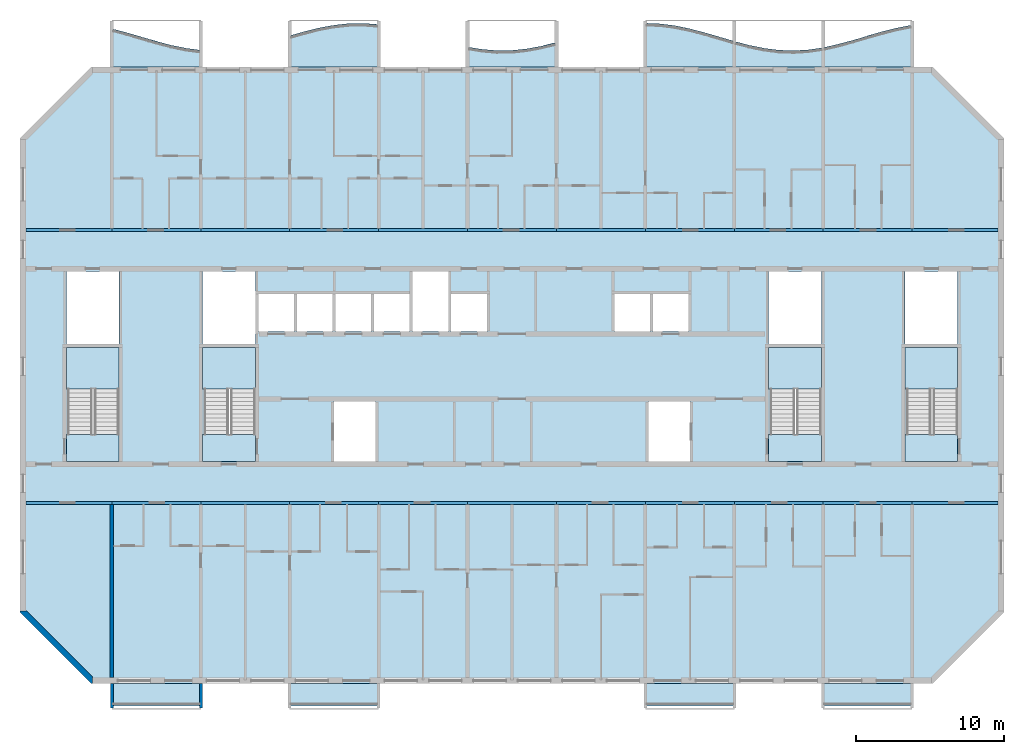
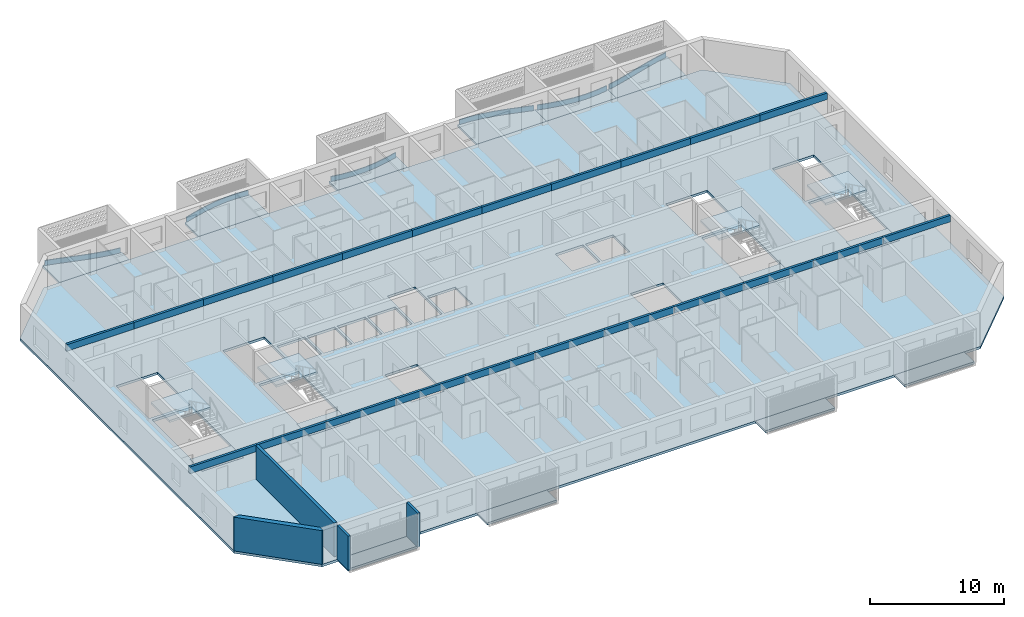
# One storey, part 1 of 26: 22 beams, 19 slabs, 6 plates, 4 walls, 4 elements without a shape of their own.
"""IFC4 building model written with IfcOpenShell, lengths in metres."""

from ifc_helpers import new_model, si_unit, direction, frame, frame_2d, origin, origin_2d, place, context, subcontext, project, spatial, polyline, rectangle, outline, extrude, source, transform, mapped, material, layer, layer_set, material_profile, profile_set, type_object, element, aggregate, save


model = new_model("IFC4")

# Units and contexts
model_context = context("Model", 3, precision=1e-05, world=origin(), true_north=direction((0.0, 1.0)))
body_context = subcontext(model_context, "Body", "Model", "MODEL_VIEW")
ifc_project = project(units=[si_unit("LENGTHUNIT", "METRE"), si_unit("AREAUNIT", "SQUARE_METRE"), si_unit("VOLUMEUNIT", "CUBIC_METRE"), si_unit("PLANEANGLEUNIT", "RADIAN"), si_unit("MASSUNIT", "GRAM", prefix="KILO")], contexts=[model_context])

# Site, building, storey
site_placement = place(None, origin())
site = spatial("IfcSite", under=ifc_project, at=site_placement, CompositionType="ELEMENT")
building_placement = place(site_placement, origin())
building = spatial("IfcBuilding", under=site, at=building_placement, Name="Poui Terraces", CompositionType="ELEMENT")
storey_placement = place(building_placement, frame((0.0, 0.0, 241.199951171875)))
storey = spatial("IfcBuildingStorey", under=building, at=storey_placement, Name="L67", CompositionType="ELEMENT", Elevation=241.199951171875)

# Beams
ifc_material_1 = material(Name="Concrete 50 MPa", Category="concrete")
ifc_material_profile = material_profile(ifc_material_1, rectangle(XDim=0.199951171875, YDim=0.60009765625, at=origin_2d()), Name="RC 200x600")
ifc_profile_set = profile_set([ifc_material_profile], Name="Concrete 50 MPa")
beam_type = type_object("IfcBeamType", Name="COUPLING BEAM 200x600 50MPa", PredefinedType="BEAM", material=ifc_profile_set)
shared_shape_1 = source(origin(), body_context, "Body", "SweptSolid", [
    extrude(rectangle(XDim=0.199951171875, YDim=0.60009765625, at=origin_2d()), origin(), (0.0, 0.0, 1.0), 5.800048828125),
])
for number, where, z_axis, x_axis, name in (
    (1, (18.199951171875, 12.0, 2.780029296875), (1.0, 0.0, 0.0), (0.0, 1.0, 0.0), "COUPLING BEAM LINE B BAY 1"),
    (2, (78.0, 12.0, 2.780029296875), (1.0, 0.0, 0.0), (0.0, 1.0, 0.0), "COUPLING BEAM LINE B BAY 11"),
    (3, (18.199951171875, 30.39990234375, 2.780029296875), (1.0, 0.0, 0.0), (0.0, 1.0, 0.0), "COUPLING BEAM LINE E BAY 1"),
    (4, (78.0, 30.39990234375, 2.780029296875), (1.0, 0.0, 0.0), (0.0, 1.0, 0.0), "COUPLING BEAM LINE E BAY 11"),
):
    element("IfcBeam", number, at=place(storey_placement, frame(where, z_axis=z_axis, x_axis=x_axis)), inside=storey, type_object=beam_type, Name=name, PredefinedType="BEAM", context=body_context, shape_type="MappedRepresentation", body=[
        mapped(shared_shape_1, transform((0.0, 0.0, 0.0))),
    ])
shared_shape_2 = source(origin(), body_context, "Body", "SweptSolid", [
    extrude(rectangle(XDim=0.199951171875, YDim=0.60009765625, at=origin_2d()), origin(), (0.0, 0.0, 1.0), 6.0),
])
for number, where, z_axis, x_axis, name in (
    (5, (24.0, 12.0, 2.780029296875), (1.0, 0.0, 0.0), (0.0, 1.0, 0.0), "COUPLING BEAM LINE B BAY 2"),
    (6, (30.0, 12.0, 2.780029296875), (1.0, 0.0, 0.0), (0.0, 1.0, 0.0), "COUPLING BEAM LINE B BAY 3"),
    (7, (36.0, 12.0, 2.780029296875), (1.0, 0.0, 0.0), (0.0, 1.0, 0.0), "COUPLING BEAM LINE B BAY 4"),
    (8, (42.0, 12.0, 2.780029296875), (1.0, 0.0, 0.0), (0.0, 1.0, 0.0), "COUPLING BEAM LINE B BAY 5"),
    (9, (48.0, 12.0, 2.780029296875), (1.0, 0.0, 0.0), (0.0, 1.0, 0.0), "COUPLING BEAM LINE B BAY 6"),
    (10, (54.0, 12.0, 2.780029296875), (1.0, 0.0, 0.0), (0.0, 1.0, 0.0), "COUPLING BEAM LINE B BAY 7"),
    (11, (60.0, 12.0, 2.780029296875), (1.0, 0.0, 0.0), (0.0, 1.0, 0.0), "COUPLING BEAM LINE B BAY 8"),
    (12, (66.0, 12.0, 2.780029296875), (1.0, 0.0, 0.0), (0.0, 1.0, 0.0), "COUPLING BEAM LINE B BAY 9"),
    (13, (72.0, 12.0, 2.780029296875), (1.0, 0.0, 0.0), (0.0, 1.0, 0.0), "COUPLING BEAM LINE B BAY 10"),
    (14, (24.0, 30.39990234375, 2.780029296875), (1.0, 0.0, 0.0), (0.0, 1.0, 0.0), "COUPLING BEAM LINE E BAY 2"),
    (15, (30.0, 30.39990234375, 2.780029296875), (1.0, 0.0, 0.0), (0.0, 1.0, 0.0), "COUPLING BEAM LINE E BAY 3"),
    (16, (36.0, 30.39990234375, 2.780029296875), (1.0, 0.0, 0.0), (0.0, 1.0, 0.0), "COUPLING BEAM LINE E BAY 4"),
    (17, (42.0, 30.39990234375, 2.780029296875), (1.0, 0.0, 0.0), (0.0, 1.0, 0.0), "COUPLING BEAM LINE E BAY 5"),
    (18, (48.0, 30.39990234375, 2.780029296875), (1.0, 0.0, 0.0), (0.0, 1.0, 0.0), "COUPLING BEAM LINE E BAY 6"),
    (19, (54.0, 30.39990234375, 2.780029296875), (1.0, 0.0, 0.0), (0.0, 1.0, 0.0), "COUPLING BEAM LINE E BAY 7"),
    (20, (60.0, 30.39990234375, 2.780029296875), (1.0, 0.0, 0.0), (0.0, 1.0, 0.0), "COUPLING BEAM LINE E BAY 8"),
    (21, (66.0, 30.39990234375, 2.780029296875), (1.0, 0.0, 0.0), (0.0, 1.0, 0.0), "COUPLING BEAM LINE E BAY 9"),
    (22, (72.0, 30.39990234375, 2.780029296875), (1.0, 0.0, 0.0), (0.0, 1.0, 0.0), "COUPLING BEAM LINE E BAY 10"),
):
    element("IfcBeam", number, at=place(storey_placement, frame(where, z_axis=z_axis, x_axis=x_axis)), inside=storey, type_object=beam_type, Name=name, PredefinedType="BEAM", context=body_context, shape_type="MappedRepresentation", body=[
        mapped(shared_shape_2, transform((0.0, 0.0, 0.0))),
    ])

# Slabs
ifc_material_2 = material(Name="Precast concrete 40 MPa", Category="concrete")
ifc_layer_1 = layer(ifc_material_2, 0.199951171875)
ifc_layer_set_1 = layer_set([ifc_layer_1], Name="Precast concrete 40 MPa")
slab_type_1 = type_object("IfcSlabType", Name="BALCONY SLAB 200", PredefinedType="FLOOR", material=ifc_layer_set_1)
slab_1_placement = place(storey_placement, frame((0.0, 0.0, -0.199951171875)))
element("IfcSlab", 23, at=slab_1_placement, inside=storey, type_object=slab_type_1, Name="BALCONY SLAB", PredefinedType="FLOOR", context=body_context, shape_type="SweptSolid", body=[
    extrude(outline(polyline([(24.0, 41.39990234375), (30.0, 41.39990234375), (30.0, 42.53662109375), (29.0, 42.663818359375), (28.0, 42.869384765625), (27.0, 43.132080078125), (26.0, 43.425048828125), (25.0, 43.718017578125), (24.0, 43.980712890625), (24.0, 41.39990234375)])), origin(), (0.0, 0.0, 1.0), 0.199951171875),
])
slab_2_placement = place(storey_placement, frame((0.0, 0.0, -0.199951171875)))
element("IfcSlab", 24, at=slab_2_placement, inside=storey, type_object=slab_type_1, Name="BALCONY SLAB", PredefinedType="FLOOR", context=body_context, shape_type="SweptSolid", body=[
    extrude(outline(polyline([(36.0, 41.39990234375), (42.0, 41.39990234375), (42.0, 44.2607421875), (41.0, 44.34326171875), (40.0, 44.331298828125), (39.0, 44.22607421875), (38.0, 44.038330078125), (37.0, 43.78759765625), (36.0, 43.49951171875), (36.0, 41.39990234375)])), origin(), (0.0, 0.0, 1.0), 0.199951171875),
])
slab_3_placement = place(storey_placement, frame((0.0, 0.0, -0.199951171875)))
element("IfcSlab", 25, at=slab_3_placement, inside=storey, type_object=slab_type_1, Name="BALCONY SLAB", PredefinedType="FLOOR", context=body_context, shape_type="SweptSolid", body=[
    extrude(outline(polyline([(48.0, 41.39990234375), (54.0, 41.39990234375), (54.0, 43.0625), (53.0, 42.8115234375), (52.0, 42.623779296875), (51.0, 42.518798828125), (50.0, 42.506591796875), (49.0, 42.58935546875), (48.0, 42.7578125), (48.0, 41.39990234375)])), origin(), (0.0, 0.0, 1.0), 0.199951171875),
])
slab_4_placement = place(storey_placement, frame((0.0, 0.0, -0.199951171875)))
element("IfcSlab", 26, at=slab_4_placement, inside=storey, type_object=slab_type_1, Name="BALCONY SLAB", PredefinedType="FLOOR", context=body_context, shape_type="SweptSolid", body=[
    extrude(outline(polyline([(60.0, 41.39990234375), (66.0, 41.39990234375), (66.0, 43.132080078125), (65.0, 43.425048828125), (64.0, 43.718017578125), (63.0, 43.980712890625), (62.0, 44.186279296875), (61.0, 44.3134765625), (60.0, 44.34912109375), (60.0, 41.39990234375)])), origin(), (0.0, 0.0, 1.0), 0.199951171875),
])
slab_5_placement = place(storey_placement, frame((0.0, 0.0, -0.199951171875)))
element("IfcSlab", 27, at=slab_5_placement, inside=storey, type_object=slab_type_1, Name="BALCONY SLAB", PredefinedType="FLOOR", context=body_context, shape_type="SweptSolid", body=[
    extrude(outline(polyline([(66.0, 41.39990234375), (72.0, 41.39990234375), (72.0, 42.70849609375), (71.0, 42.56005859375), (70.0, 42.500732421875), (69.0, 42.53662109375), (68.0, 42.663818359375), (67.0, 42.869384765625), (66.0, 43.132080078125), (66.0, 41.39990234375)])), origin(), (0.0, 0.0, 1.0), 0.199951171875),
])
slab_6_placement = place(storey_placement, frame((0.0, 0.0, -0.199951171875)))
element("IfcSlab", 28, at=slab_6_placement, inside=storey, type_object=slab_type_1, Name="BALCONY SLAB", PredefinedType="FLOOR", context=body_context, shape_type="SweptSolid", body=[
    extrude(outline(polyline([(72.0, 41.39990234375), (78.0, 41.39990234375), (78.0, 44.22607421875), (77.0, 44.038330078125), (76.0, 43.78759765625), (75.0, 43.49951171875), (74.0, 43.20361328125), (73.0, 42.9306640625), (72.0, 42.70849609375), (72.0, 41.39990234375)])), origin(), (0.0, 0.0, 1.0), 0.199951171875),
])

# Stair, slabs
stair_type = type_object("IfcStairType", Name="EXIT STAIR 1650 50 MPA", PredefinedType="HALF_TURN_STAIR", material=ifc_material_1)
stair_1_placement = place(storey_placement, origin())
stair_1 = element("IfcStair", 29, at=stair_1_placement, inside=storey, type_object=stair_type, Name="L67 CORE STAIR EAST", PredefinedType="HALF_TURN_STAIR")
ifc_layer_2 = layer(ifc_material_1, 0.199951171875)
ifc_layer_set_2 = layer_set([ifc_layer_2], Name="Concrete 50 MPa")
slab_type_2 = type_object("IfcSlabType", Name="STAIR LANDING 200 50 MPA", PredefinedType="LANDING", material=ifc_layer_set_2)
slab_7_placement = place(storey_placement, frame((0.0, 0.0, 1.449951171875)))
slab_7 = element("IfcSlab", 30, at=slab_7_placement, type_object=slab_type_2, Name="ST-CE landing 1", PredefinedType="LANDING", context=body_context, shape_type="SweptSolid", body=[
    extrude(outline(polyline([(68.324951171875, 19.679931640625), (71.875, 19.679931640625), (71.875, 22.47509765625), (68.324951171875, 22.47509765625), (68.324951171875, 19.679931640625)])), origin(), (0.0, 0.0, 1.0), 0.2001953125),
])
slab_8_placement = place(storey_placement, frame((0.0, 0.0, -0.199951171875)))
slab_8 = element("IfcSlab", 31, at=slab_8_placement, type_object=slab_type_2, Name="ST-CE landing 2", PredefinedType="LANDING", context=body_context, shape_type="SweptSolid", body=[
    extrude(outline(polyline([(68.324951171875, 14.77490234375), (71.875, 14.77490234375), (71.875, 16.60009765625), (68.324951171875, 16.60009765625), (68.324951171875, 14.77490234375)])), origin(), (0.0, 0.0, 1.0), 0.199951171875),
])
aggregate(stair_1, [slab_7, slab_8])

stair_2_placement = place(storey_placement, origin())
stair_2 = element("IfcStair", 32, at=stair_2_placement, inside=storey, type_object=stair_type, Name="L67 CORE STAIR WEST", PredefinedType="HALF_TURN_STAIR")
slab_9_placement = place(storey_placement, frame((0.0, 0.0, 1.449951171875)))
slab_9 = element("IfcSlab", 33, at=slab_9_placement, type_object=slab_type_2, Name="ST-CW landing 1", PredefinedType="LANDING", context=body_context, shape_type="SweptSolid", body=[
    extrude(outline(polyline([(30.125, 19.679931640625), (33.675048828125, 19.679931640625), (33.675048828125, 22.47509765625), (30.125, 22.47509765625), (30.125, 19.679931640625)])), origin(), (0.0, 0.0, 1.0), 0.2001953125),
])
slab_10_placement = place(storey_placement, frame((0.0, 0.0, -0.199951171875)))
slab_10 = element("IfcSlab", 34, at=slab_10_placement, type_object=slab_type_2, Name="ST-CW landing 2", PredefinedType="LANDING", context=body_context, shape_type="SweptSolid", body=[
    extrude(outline(polyline([(30.125, 14.77490234375), (33.675048828125, 14.77490234375), (33.675048828125, 16.60009765625), (30.125, 16.60009765625), (30.125, 14.77490234375)])), origin(), (0.0, 0.0, 1.0), 0.199951171875),
])
aggregate(stair_2, [slab_9, slab_10])

stair_3_placement = place(storey_placement, origin())
stair_3 = element("IfcStair", 35, at=stair_3_placement, inside=storey, type_object=stair_type, Name="L67 TIP STAIR EAST", PredefinedType="HALF_TURN_STAIR")
slab_11_placement = place(storey_placement, frame((0.0, 0.0, 1.449951171875)))
slab_11 = element("IfcSlab", 36, at=slab_11_placement, type_object=slab_type_2, Name="ST-E landing 1", PredefinedType="LANDING", context=body_context, shape_type="SweptSolid", body=[
    extrude(outline(polyline([(77.52490234375, 19.679931640625), (81.074951171875, 19.679931640625), (81.074951171875, 22.47509765625), (77.52490234375, 22.47509765625), (77.52490234375, 19.679931640625)])), origin(), (0.0, 0.0, 1.0), 0.2001953125),
])
slab_12_placement = place(storey_placement, frame((0.0, 0.0, -0.199951171875)))
slab_12 = element("IfcSlab", 37, at=slab_12_placement, type_object=slab_type_2, Name="ST-E landing 2", PredefinedType="LANDING", context=body_context, shape_type="SweptSolid", body=[
    extrude(outline(polyline([(77.52490234375, 14.77490234375), (81.074951171875, 14.77490234375), (81.074951171875, 16.60009765625), (77.52490234375, 16.60009765625), (77.52490234375, 14.77490234375)])), origin(), (0.0, 0.0, 1.0), 0.199951171875),
])
aggregate(stair_3, [slab_11, slab_12])

stair_4_placement = place(storey_placement, origin())
stair_4 = element("IfcStair", 38, at=stair_4_placement, inside=storey, type_object=stair_type, Name="L67 TIP STAIR WEST", PredefinedType="HALF_TURN_STAIR")
slab_13_placement = place(storey_placement, frame((0.0, 0.0, 1.449951171875)))
slab_13 = element("IfcSlab", 39, at=slab_13_placement, type_object=slab_type_2, Name="ST-W landing 1", PredefinedType="LANDING", context=body_context, shape_type="SweptSolid", body=[
    extrude(outline(polyline([(20.925048828125, 19.679931640625), (24.47509765625, 19.679931640625), (24.47509765625, 22.47509765625), (20.925048828125, 22.47509765625), (20.925048828125, 19.679931640625)])), origin(), (0.0, 0.0, 1.0), 0.2001953125),
])
slab_14_placement = place(storey_placement, frame((0.0, 0.0, -0.199951171875)))
slab_14 = element("IfcSlab", 40, at=slab_14_placement, type_object=slab_type_2, Name="ST-W landing 2", PredefinedType="LANDING", context=body_context, shape_type="SweptSolid", body=[
    extrude(outline(polyline([(20.925048828125, 14.77490234375), (24.47509765625, 14.77490234375), (24.47509765625, 16.60009765625), (20.925048828125, 16.60009765625), (20.925048828125, 14.77490234375)])), origin(), (0.0, 0.0, 1.0), 0.199951171875),
])
aggregate(stair_4, [slab_13, slab_14])

# Plates
ifc_layer_3 = layer(ifc_material_2, 0.080078125)
ifc_layer_set_3 = layer_set([ifc_layer_3], Name="Precast concrete 40 MPa")
plate_type = type_object("IfcPlateType", Name="SUNSHADE UPSTAND 80", PredefinedType="SHEET", material=ifc_layer_set_3)
plate_1_placement = place(storey_placement, origin())
element("IfcPlate", 41, at=plate_1_placement, inside=storey, type_object=plate_type, Name="SUNSHADE UPSTAND", PredefinedType="SHEET", context=body_context, shape_type="SweptSolid", body=[
    extrude(outline(polyline([(25.0107421875, 43.71142578125), (24.13525390625, 43.944091796875), (24.11474609375, 43.86669921875), (24.9892578125, 43.634521484375), (25.98876953125, 43.341552734375), (26.9892578125, 43.048583984375), (27.990966796875, 42.785400390625), (28.993408203125, 42.579345703125), (29.86962890625, 42.462890625), (29.88037109375, 42.542236328125), (29.006591796875, 42.658203125), (28.009033203125, 42.86328125), (27.0107421875, 43.12548828125), (26.01123046875, 43.41845703125), (25.0107421875, 43.71142578125)])), origin(), (0.0, 0.0, 1.0), 0.449951171875),
])
plate_2_placement = place(storey_placement, origin())
element("IfcPlate", 42, at=plate_2_placement, inside=storey, type_object=plate_type, Name="SUNSHADE UPSTAND", PredefinedType="SHEET", context=body_context, shape_type="SweptSolid", body=[
    extrude(outline(polyline([(36.989501953125, 43.78125), (36.114013671875, 43.52978515625), (36.135986328125, 43.452880859375), (37.010498046875, 43.703857421875), (38.008544921875, 43.954345703125), (39.005859375, 44.1416015625), (40.002197265625, 44.246337890625), (40.998779296875, 44.25830078125), (41.871826171875, 44.191162109375), (41.878173828125, 44.270751953125), (41.859619140625, 44.272216796875), (41.001220703125, 44.33837890625), (39.997802734375, 44.326416015625), (38.994140625, 44.220703125), (37.991455078125, 44.032470703125), (36.989501953125, 43.78125)])), origin(), (0.0, 0.0, 1.0), 0.449951171875),
])
plate_3_placement = place(storey_placement, origin())
element("IfcPlate", 43, at=plate_3_placement, inside=storey, type_object=plate_type, Name="SUNSHADE UPSTAND", PredefinedType="SHEET", context=body_context, shape_type="SweptSolid", body=[
    extrude(outline(polyline([(49.0048828125, 42.583984375), (48.131591796875, 42.72705078125), (48.118408203125, 42.648193359375), (48.9951171875, 42.504638671875), (49.99853515625, 42.421630859375), (51.002197265625, 42.43359375), (52.005859375, 42.539306640625), (53.008544921875, 42.7275390625), (53.884521484375, 42.944580078125), (53.865478515625, 43.022216796875), (52.991455078125, 42.8056640625), (51.994140625, 42.618408203125), (50.997802734375, 42.513671875), (50.00146484375, 42.501708984375), (49.0048828125, 42.583984375)])), origin(), (0.0, 0.0, 1.0), 0.449951171875),
])
plate_4_placement = place(storey_placement, origin())
element("IfcPlate", 44, at=plate_4_placement, inside=storey, type_object=plate_type, Name="SUNSHADE UPSTAND", PredefinedType="SHEET", context=body_context, shape_type="SweptSolid", body=[
    extrude(outline(polyline([(61.00341796875, 44.308349609375), (60.16796875, 44.34326171875), (60.126708984375, 44.3447265625), (60.123291015625, 44.264892578125), (60.99658203125, 44.228515625), (61.993408203125, 44.101806640625), (62.990966796875, 43.896728515625), (63.9892578125, 43.634521484375), (64.98876953125, 43.341552734375), (65.86376953125, 43.084228515625), (65.88623046875, 43.160888671875), (65.01123046875, 43.41845703125), (64.0107421875, 43.71142578125), (63.009033203125, 43.974609375), (62.006591796875, 44.1806640625), (61.00341796875, 44.308349609375)])), origin(), (0.0, 0.0, 1.0), 0.449951171875),
])
plate_5_placement = place(storey_placement, origin())
element("IfcPlate", 45, at=plate_5_placement, inside=storey, type_object=plate_type, Name="SUNSHADE UPSTAND", PredefinedType="SHEET", context=body_context, shape_type="SweptSolid", body=[
    extrude(outline(polyline([(67.009033203125, 42.86328125), (66.135009765625, 43.0908203125), (66.114990234375, 43.01318359375), (66.990966796875, 42.785400390625), (67.993408203125, 42.579345703125), (68.996826171875, 42.45166015625), (70.00048828125, 42.415771484375), (71.00390625, 42.475341796875), (71.880615234375, 42.600830078125), (71.869384765625, 42.68017578125), (70.99609375, 42.554931640625), (69.99951171875, 42.495849609375), (69.003173828125, 42.531494140625), (68.006591796875, 42.658203125), (67.009033203125, 42.86328125)])), origin(), (0.0, 0.0, 1.0), 0.449951171875),
])
plate_6_placement = place(storey_placement, origin())
element("IfcPlate", 46, at=plate_6_placement, inside=storey, type_object=plate_type, Name="SUNSHADE UPSTAND", PredefinedType="SHEET", context=body_context, shape_type="SweptSolid", body=[
    extrude(outline(polyline([(72.990234375, 42.92431640625), (72.1162109375, 42.7265625), (72.1337890625, 42.648681640625), (73.009765625, 42.8466796875), (74.010986328125, 43.1201171875), (75.01123046875, 43.416015625), (76.010498046875, 43.703857421875), (77.0087890625, 43.954345703125), (77.882568359375, 44.12255859375), (77.867431640625, 44.201171875), (76.9912109375, 44.032470703125), (75.989501953125, 43.78125), (74.98876953125, 43.492919921875), (73.989013671875, 43.197021484375), (72.990234375, 42.92431640625)])), origin(), (0.0, 0.0, 1.0), 0.449951171875),
])

# Slabs
ifc_material_3 = material(Name="Concrete 40 MPa", Category="concrete")
ifc_layer_4 = layer(ifc_material_3, 0.219970703125)
ifc_layer_set_4 = layer_set([ifc_layer_4], Name="Concrete 40 MPa")
slab_type_3 = type_object("IfcSlabType", Name="FLOOR SLAB 220", PredefinedType="FLOOR", material=ifc_layer_set_4)
shared_shape_3 = source(origin(), body_context, "Body", "SweptSolid", [
    extrude(outline(polyline([(0.0, 0.0), (4.800048828125, -4.800048828125), (61.599853515625, -4.800048828125), (66.39990234375, 0.0), (66.39990234375, 32.0), (61.599853515625, 36.7998046875), (4.800048828125, 36.7998046875), (0.0, 32.0), (0.0, 0.0)]), holes=[polyline([(21.199951171875, 10.1748046875), (21.199951171875, 14.224853515625), (24.0, 14.224853515625), (24.0, 10.1748046875), (21.199951171875, 10.1748046875)]), polyline([(3.224853515625, 17.849853515625), (6.675048828125, 17.849853515625), (6.675048828125, 12.0), (6.675048828125, 10.1748046875), (3.125, 10.1748046875), (3.125, 12.0), (3.224853515625, 12.0), (3.224853515625, 17.849853515625)]), polyline([(12.425048828125, 17.849853515625), (15.875, 17.849853515625), (15.875, 12.0), (15.875, 10.1748046875), (12.324951171875, 10.1748046875), (12.324951171875, 12.0), (12.425048828125, 12.0), (12.425048828125, 17.849853515625)]), polyline([(16.099853515625, 18.974853515625), (16.099853515625, 21.5), (18.5, 21.5), (18.5, 18.974853515625), (16.099853515625, 18.974853515625)]), polyline([(18.699951171875, 18.974853515625), (18.699951171875, 21.5), (21.099853515625, 21.5), (21.099853515625, 18.974853515625), (18.699951171875, 18.974853515625)]), polyline([(21.300048828125, 18.974853515625), (21.300048828125, 21.5), (23.699951171875, 21.5), (23.699951171875, 18.974853515625), (21.300048828125, 18.974853515625)]), polyline([(23.89990234375, 18.974853515625), (23.89990234375, 21.5), (26.300048828125, 21.5), (26.300048828125, 18.974853515625), (23.89990234375, 18.974853515625)]), polyline([(3.125, 23.02490234375), (6.675048828125, 23.02490234375), (6.675048828125, 18.125), (3.125, 18.125), (3.125, 23.02490234375)]), polyline([(12.324951171875, 23.02490234375), (15.875, 23.02490234375), (15.875, 18.125), (12.324951171875, 18.125), (12.324951171875, 23.02490234375)]), polyline([(42.39990234375, 10.1748046875), (42.39990234375, 14.224853515625), (45.199951171875, 14.224853515625), (45.199951171875, 10.1748046875), (42.39990234375, 10.1748046875)]), polyline([(50.625, 17.849853515625), (54.074951171875, 17.849853515625), (54.074951171875, 12.0), (54.074951171875, 10.1748046875), (50.52490234375, 10.1748046875), (50.52490234375, 12.0), (50.625, 12.0), (50.625, 17.849853515625)]), polyline([(59.824951171875, 17.849853515625), (63.27490234375, 17.849853515625), (63.27490234375, 12.0), (63.27490234375, 10.1748046875), (59.724853515625, 10.1748046875), (59.724853515625, 12.0), (59.824951171875, 12.0), (59.824951171875, 17.849853515625)]), polyline([(29.099853515625, 18.974853515625), (29.099853515625, 21.5), (31.5, 21.5), (31.5, 18.974853515625), (29.099853515625, 18.974853515625)]), polyline([(40.099853515625, 18.974853515625), (40.099853515625, 21.5), (42.5, 21.5), (42.5, 18.974853515625), (40.099853515625, 18.974853515625)]), polyline([(42.699951171875, 18.974853515625), (42.699951171875, 21.5), (45.099853515625, 21.5), (45.099853515625, 18.974853515625), (42.699951171875, 18.974853515625)]), polyline([(50.52490234375, 18.125), (50.52490234375, 23.02490234375), (54.074951171875, 23.02490234375), (54.074951171875, 18.125), (50.52490234375, 18.125)]), polyline([(59.724853515625, 23.02490234375), (63.27490234375, 23.02490234375), (63.27490234375, 18.125), (59.724853515625, 18.125), (59.724853515625, 23.02490234375)]), polyline([(26.5, 23.02490234375), (28.89990234375, 23.02490234375), (28.89990234375, 18.974853515625), (26.5, 18.974853515625), (26.5, 23.02490234375)])]), origin(), (0.0, 0.0, 1.0), 0.219970703125),
])
slab_15_placement = place(storey_placement, frame((17.800048828125, 4.60009765625, -0.219970703125)))
element("IfcSlab", 47, at=slab_15_placement, inside=storey, type_object=slab_type_3, Name="FLOOR SLAB", PredefinedType="FLOOR", context=body_context, shape_type="MappedRepresentation", body=[
    mapped(shared_shape_3, transform((0.0, 0.0, 0.0))),
])
ifc_layer_5 = layer(ifc_material_2, 0.199951171875)
ifc_layer_set_5 = layer_set([ifc_layer_5], Name="Precast concrete 40 MPa")
slab_type_4 = type_object("IfcSlabType", Name="REAR BALCONY SLAB 200", PredefinedType="FLOOR", material=ifc_layer_set_5)
shared_shape_4 = source(origin(), body_context, "Body", "SweptSolid", [
    extrude(outline(polyline([(0.0, 0.0), (6.0, 0.0), (6.0, 1.5), (0.0, 1.5), (0.0, 0.0)])), origin(), (0.0, 0.0, 1.0), 0.199951171875),
])
for number, where, name in (
    (48, (24.0, -1.699951171875, -0.199951171875), "REAR BALCONY SLAB"),
    (49, (36.0, -1.699951171875, -0.199951171875), "REAR BALCONY SLAB"),
    (50, (60.0, -1.699951171875, -0.199951171875), "REAR BALCONY SLAB"),
    (51, (72.0, -1.699951171875, -0.199951171875), "REAR BALCONY SLAB"),
):
    element("IfcSlab", number, at=place(storey_placement, frame(where)), inside=storey, type_object=slab_type_4, Name=name, PredefinedType="FLOOR", context=body_context, shape_type="MappedRepresentation", body=[
        mapped(shared_shape_4, transform((0.0, 0.0, 0.0))),
    ])

# Walls
ifc_layer_6 = layer(ifc_material_1, 0.25)
ifc_layer_set_6 = layer_set([ifc_layer_6], Name="Concrete 50 MPa")
wall_type_1 = type_object("IfcWallType", Name="CROSS WALL 250 50MPa", PredefinedType="SHEAR", material=ifc_layer_set_6)
wall_1_placement = place(storey_placement, frame((24.0, 0.199951171875, 0.0), z_axis=(0.0, 0.0, 1.0), x_axis=(0.0, 1.0, 0.0)))
element("IfcWall", 52, at=wall_1_placement, inside=storey, type_object=wall_type_1, Name="CROSS WALL LINE 5 SOUTH", PredefinedType="SHEAR", context=body_context, shape_type="SweptSolid", body=[
    extrude(rectangle(XDim=11.699951171875, YDim=0.25, at=frame_2d((5.85009765625, 0.0))), origin(), (0.0, 0.0, 1.0), 3.080078125),
])
ifc_layer_7 = layer(ifc_material_2, 0.39990234375)
ifc_layer_set_7 = layer_set([ifc_layer_7], Name="Precast concrete 40 MPa")
wall_type_2 = type_object("IfcWallType", Name="TERRACOTTA CLAD CHAMFER WALL 400", PredefinedType="STANDARD", material=ifc_layer_set_7)
wall_2_placement = place(storey_placement, origin())
element("IfcWall", 53, at=wall_2_placement, inside=storey, type_object=wall_type_2, Name="CHAMFER WALL CH07", PredefinedType="STANDARD", context=body_context, shape_type="SweptSolid", body=[
    extrude(outline(polyline([(17.800048828125, 4.682861328125), (17.800048828125, 4.60009765625), (22.60009765625, -0.199951171875), (22.682861328125, -0.199951171875), (22.682861328125, 0.28271484375), (18.28271484375, 4.682861328125), (17.800048828125, 4.682861328125)])), origin(), (0.0, 0.0, 1.0), 3.080078125),
])
ifc_layer_8 = layer(ifc_material_2, 0.199951171875)
ifc_layer_set_8 = layer_set([ifc_layer_8], Name="Precast concrete 40 MPa")
wall_type_3 = type_object("IfcWallType", Name="REAR FIN 200", PredefinedType="STANDARD", material=ifc_layer_set_8)
shared_shape_5 = source(origin(), body_context, "Body", "SweptSolid", [
    extrude(outline(polyline([(0.0, 0.0), (0.2001953125, 0.0), (0.2001953125, 1.650146484375), (0.0, 1.650146484375), (0.0, 0.0)])), origin(), (0.0, 0.0, 1.0), 3.10009765625),
])
for number, where, name in (
    (54, (23.89990234375, -1.85009765625, 0.0), "REAR FIN"),
    (55, (29.89990234375, -1.85009765625, 0.0), "REAR FIN"),
):
    element("IfcWall", number, at=place(storey_placement, frame(where)), inside=storey, type_object=wall_type_3, Name=name, PredefinedType="STANDARD", context=body_context, shape_type="MappedRepresentation", body=[
        mapped(shared_shape_5, transform((0.0, 0.0, 0.0))),
    ])

save(model, "model.ifc")
